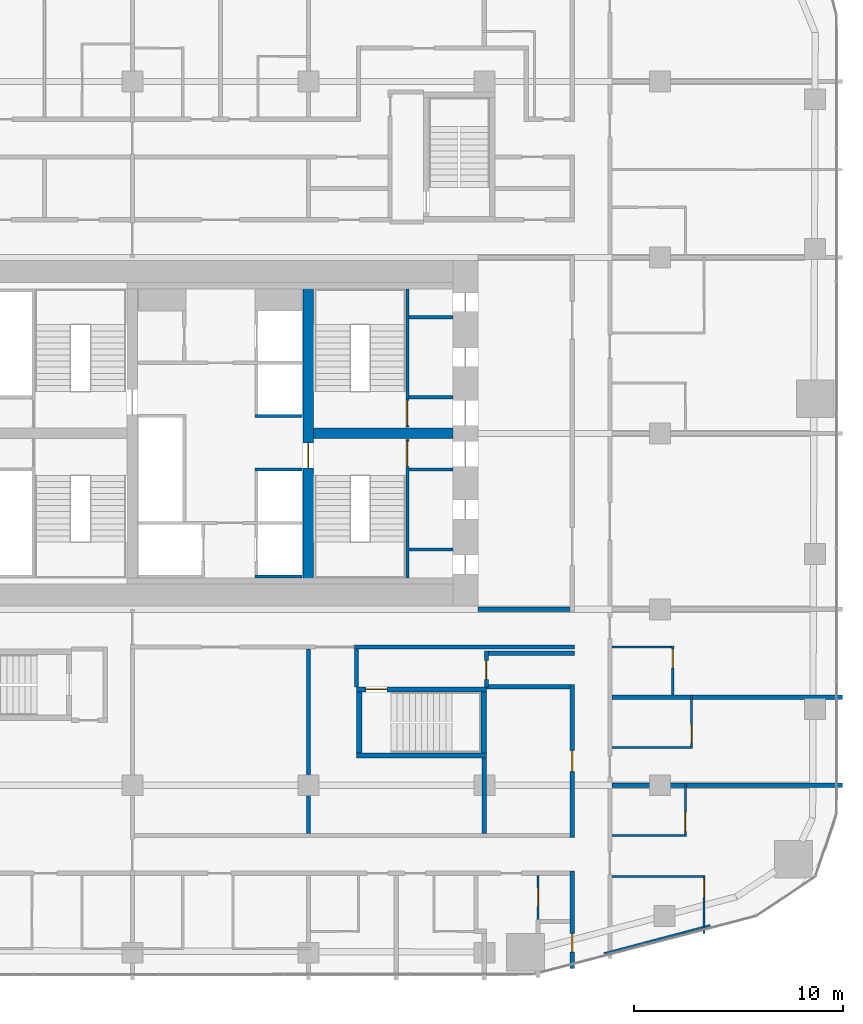
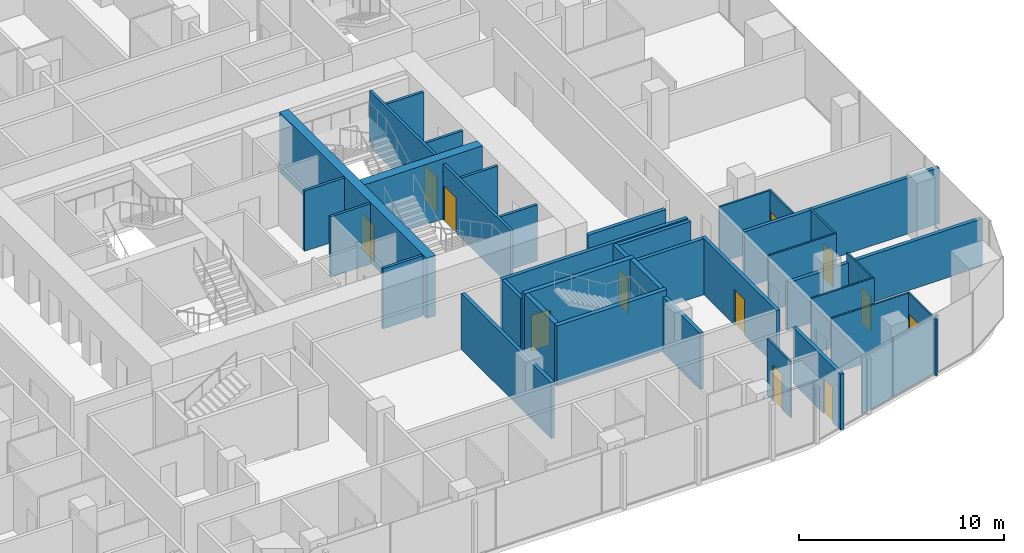
# One storey, part 19 of 26: 37 walls, 12 doors, 12 openings.
"""IFC4 building model written with IfcOpenShell, lengths in metres."""

from ifc_helpers import new_model, si_unit, direction, frame, frame_2d, origin, place, context, subcontext, project, spatial, rectangle, extrude, material, layer, layer_set, type_object, element, fill, save


model = new_model("IFC4")

# Units and contexts
model_context = context("Model", 3, precision=1e-05, world=origin(), true_north=direction((0.0, 1.0)))
body_context = subcontext(model_context, "Body", "Model", "MODEL_VIEW")
ifc_project = project(units=[si_unit("LENGTHUNIT", "METRE"), si_unit("AREAUNIT", "SQUARE_METRE"), si_unit("VOLUMEUNIT", "CUBIC_METRE"), si_unit("PLANEANGLEUNIT", "RADIAN"), si_unit("MASSUNIT", "GRAM", prefix="KILO")], contexts=[model_context])

# Site, building, storey
site_placement = place(None, origin())
site = spatial("IfcSite", under=ifc_project, at=site_placement, CompositionType="ELEMENT")
building_placement = place(site_placement, origin())
building = spatial("IfcBuilding", under=site, at=building_placement, Name="Marenta Gate Hotel Tower", CompositionType="ELEMENT")
storey_placement = place(building_placement, frame((0.0, 0.0, 72.5)))
storey = spatial("IfcBuildingStorey", under=building, at=storey_placement, Name="L16", CompositionType="ELEMENT", Elevation=72.5)

# Walls
ifc_material_1 = material(Name="Concrete blockwork", Category="masonry")
ifc_layer_1 = layer(ifc_material_1, 0.199951171875)
ifc_layer_set_1 = layer_set([ifc_layer_1], Name="Concrete blockwork")
wall_type_1 = type_object("IfcWallType", Name="Core boundary wall 200 REI 180", PredefinedType="PARTITIONING", material=ifc_layer_set_1)
wall_1_placement = place(storey_placement, frame((12.300048828125, 0.0, 0.0), z_axis=(0.0, 0.0, 1.0), x_axis=(1.0, 0.0, 0.0)))
element("IfcWall", 1, at=wall_1_placement, inside=storey, type_object=wall_type_1, Name="L16-CP-EW-ES", PredefinedType="PARTITIONING", context=body_context, shape_type="SweptSolid", body=[
    extrude(rectangle(XDim=4.39990234375, YDim=0.199951171875, at=frame_2d((2.199951171875, 0.0))), origin(), (0.0, 0.0, 1.0), 2.840087890625),
])
ifc_material_2 = material(Name="Concrete blockwork", Category="masonry")
ifc_layer_2 = layer(ifc_material_2, 0.14990234375)
ifc_layer_set_2 = layer_set([ifc_layer_2], Name="Concrete blockwork")
wall_type_2 = type_object("IfcWallType", Name="Core room partition 150 REI 180", PredefinedType="PARTITIONING", material=ifc_layer_set_2)
for number, where, z_axis, x_axis, name in (
    (2, (9.0, 6.675048828125, 0.0), (0.0, 0.0, 1.0), (1.0, 0.0, 0.0), "L16-CP-SW-ES-2"),
    (3, (9.0, 2.85009765625, 0.0), (0.0, 0.0, 1.0), (1.0, 0.0, 0.0), "L16-CP-RW-ES-1"),
    (4, (9.0, 10.125, 0.0), (0.0, 0.0, 1.0), (1.0, 0.0, 0.0), "L16-CP-SW-EN-2"),
    (5, (9.0, 13.949951171875, 0.0), (0.0, 0.0, 1.0), (1.0, 0.0, 0.0), "L16-CP-RW-EN-1"),
):
    element("IfcWall", number, at=place(storey_placement, frame(where, z_axis=z_axis, x_axis=x_axis)), inside=storey, type_object=wall_type_2, Name=name, PredefinedType="PARTITIONING", context=body_context, shape_type="SweptSolid", body=[
        extrude(rectangle(XDim=2.10009765625, YDim=0.14990234375, at=frame_2d((1.050048828125, 0.0))), origin(), (0.0, 0.0, 1.0), 3.340087890625),
    ])
ifc_material_3 = material(Name="Concrete C40", Category="concrete")
ifc_layer_3 = layer(ifc_material_3, 0.14990234375)
ifc_layer_set_3 = layer_set([ifc_layer_3], Name="Concrete C40")
wall_type_3 = type_object("IfcWallType", Name="Core shaft wall 150 REI 180", PredefinedType="SHEAR", material=ifc_layer_set_3)
for number, where, z_axis, x_axis, name in (
    (6, (1.64990234375, 1.574951171875, 0.0), (0.0, 0.0, 1.0), (1.0, 0.0, 0.0), "L16-SHF-CE-S-bot"),
    (7, (1.64990234375, 6.675048828125, 0.0), (0.0, 0.0, 1.0), (1.0, 0.0, 0.0), "L16-SHF-CE-sep1"),
    (8, (1.64990234375, 9.22509765625, 0.0), (0.0, 0.0, 1.0), (1.0, 0.0, 0.0), "L16-SHF-CE-sep2"),
):
    element("IfcWall", number, at=place(storey_placement, frame(where, z_axis=z_axis, x_axis=x_axis)), inside=storey, type_object=wall_type_3, Name=name, PredefinedType="SHEAR", context=body_context, shape_type="SweptSolid", body=[
        extrude(rectangle(XDim=2.25, YDim=0.14990234375, at=frame_2d((1.125, 0.0))), origin(), (0.0, 0.0, 1.0), 3.60009765625),
    ])

# Wall, opening, door
ifc_material_4 = material(Name="Concrete C40", Category="concrete")
ifc_layer_4 = layer(ifc_material_4, 0.14990234375)
ifc_layer_set_4 = layer_set([ifc_layer_4], Name="Concrete C40")
wall_type_4 = type_object("IfcWallType", Name="Core stair enclosure wall 150 REI 180", PredefinedType="SHEAR", material=ifc_layer_set_4)
wall_2_placement = place(storey_placement, frame((8.925048828125, 1.5, 0.0), z_axis=(0.0, 0.0, 1.0), x_axis=(0.0, 1.0, 0.0)))
wall_2 = element("IfcWall", 9, at=wall_2_placement, inside=storey, type_object=wall_type_4, Name="L16-SHF-SW-ES-3", PredefinedType="SHEAR", context=body_context, shape_type="SweptSolid", body=[
    extrude(rectangle(XDim=6.60009765625, YDim=0.14990234375, at=frame_2d((3.300048828125, 0.0))), origin(), (0.0, 0.0, 1.0), 3.340087890625),
])
opening_1_placement = place(wall_2_placement, frame((5.324951171875, 0.0, 0.0)))
opening_1 = element("IfcOpeningElement", 10, at=opening_1_placement, cuts=wall_2, Name="Opening SD-ES", PredefinedType="OPENING", context=body_context, shape_type="SweptSolid", body=[
    extrude(rectangle(XDim=1.199951171875, YDim=2.10009765625, at=frame_2d((0.60009765625, 1.050048828125))), frame((0.0, 0.074951171875, 0.0), z_axis=(0.0, -1.0, 0.0), x_axis=(1.0, 0.0, 0.0)), (0.0, 0.0, 1.0), 0.14990234375),
])
ifc_material_5 = material(Name="Steel", Category="steel")
door_type_1 = type_object("IfcDoorType", Name="Core stair door 1200x2100 FD60", OperationType="SINGLE_SWING_LEFT", PredefinedType="DOOR", material=ifc_material_5)
door_1_placement = place(opening_1_placement, origin())
door_1 = element("IfcDoor", 11, at=door_1_placement, inside=storey, type_object=door_type_1, Name="SD-ES", OperationType="SINGLE_SWING_LEFT", OverallHeight=2.10009765625, OverallWidth=1.199951171875, PredefinedType="DOOR", context=body_context, shape_type="SweptSolid", body=[
    extrude(rectangle(XDim=1.199951171875, YDim=2.10009765625, at=frame_2d((0.60009765625, 1.050048828125))), frame((0.0, 0.02490234375, 0.0), z_axis=(0.0, -1.0, 0.0), x_axis=(1.0, 0.0, 0.0)), (0.0, 0.0, 1.0), 0.050048828125),
])
fill(opening_1, door_1)

wall_3_placement = place(storey_placement, frame((8.925048828125, 8.699951171875, 0.0), z_axis=(0.0, 0.0, 1.0), x_axis=(0.0, 1.0, 0.0)))
wall_3 = element("IfcWall", 12, at=wall_3_placement, inside=storey, type_object=wall_type_4, Name="L16-SHF-SW-EN-3", PredefinedType="SHEAR", context=body_context, shape_type="SweptSolid", body=[
    extrude(rectangle(XDim=6.60009765625, YDim=0.14990234375, at=frame_2d((3.300048828125, 0.0))), origin(), (0.0, 0.0, 1.0), 3.340087890625),
])
opening_2_placement = place(wall_3_placement, frame((0.074951171875, 0.0, 0.0)))
opening_2 = element("IfcOpeningElement", 13, at=opening_2_placement, cuts=wall_3, Name="Opening SD-EN", PredefinedType="OPENING", context=body_context, shape_type="SweptSolid", body=[
    extrude(rectangle(XDim=1.199951171875, YDim=2.10009765625, at=frame_2d((0.60009765625, 1.050048828125))), frame((0.0, 0.074951171875, 0.0), z_axis=(0.0, -1.0, 0.0), x_axis=(1.0, 0.0, 0.0)), (0.0, 0.0, 1.0), 0.14990234375),
])
door_2_placement = place(opening_2_placement, origin())
door_2 = element("IfcDoor", 14, at=door_2_placement, inside=storey, type_object=door_type_1, Name="SD-EN", OperationType="SINGLE_SWING_LEFT", OverallHeight=2.10009765625, OverallWidth=1.199951171875, PredefinedType="DOOR", context=body_context, shape_type="SweptSolid", body=[
    extrude(rectangle(XDim=1.199951171875, YDim=2.10009765625, at=frame_2d((0.60009765625, 1.050048828125))), frame((0.0, 0.02490234375, 0.0), z_axis=(0.0, -1.0, 0.0), x_axis=(1.0, 0.0, 0.0)), (0.0, 0.0, 1.0), 0.050048828125),
])
fill(opening_2, door_2)

ifc_material_6 = material(Name="Concrete C80", Category="concrete")
ifc_layer_5 = layer(ifc_material_6, 0.5)
ifc_layer_set_5 = layer_set([ifc_layer_5], Name="Concrete C80")
wall_type_5 = type_object("IfcWallType", Name="Core web 500 C80", PredefinedType="SHEAR", material=ifc_layer_set_5)
wall_4_placement = place(storey_placement, frame((4.199951171875, 1.199951171875, 0.0), z_axis=(0.0, 0.0, 1.0), x_axis=(0.0, 1.0, 0.0)))
wall_4 = element("IfcWall", 15, at=wall_4_placement, inside=storey, type_object=wall_type_5, Name="L16-CORE-W2", PredefinedType="SHEAR", context=body_context, shape_type="SweptSolid", body=[
    extrude(rectangle(XDim=14.400146484375, YDim=0.5, at=frame_2d((7.2001953125, 0.0))), origin(), (0.0, 0.0, 1.0), 3.60009765625),
])
opening_3_placement = place(wall_4_placement, frame((5.550048828125, 0.0, 0.0)))
opening_3 = element("IfcOpeningElement", 16, at=opening_3_placement, cuts=wall_4, Name="Opening WD-E", PredefinedType="OPENING", context=body_context, shape_type="SweptSolid", body=[
    extrude(rectangle(XDim=1.199951171875, YDim=2.10009765625, at=frame_2d((0.60009765625, 1.050048828125))), frame((0.0, 0.25, 0.0), z_axis=(0.0, -1.0, 0.0), x_axis=(1.0, 0.0, 0.0)), (0.0, 0.0, 1.0), 0.5),
])
door_3_placement = place(opening_3_placement, origin())
door_3 = element("IfcDoor", 17, at=door_3_placement, inside=storey, type_object=door_type_1, Name="WD-E", OperationType="SINGLE_SWING_LEFT", OverallHeight=2.10009765625, OverallWidth=1.199951171875, PredefinedType="DOOR", context=body_context, shape_type="SweptSolid", body=[
    extrude(rectangle(XDim=1.199951171875, YDim=2.10009765625, at=frame_2d((0.60009765625, 1.050048828125))), frame((0.0, 0.02490234375, 0.0), z_axis=(0.0, -1.0, 0.0), x_axis=(1.0, 0.0, 0.0)), (0.0, 0.0, 1.0), 0.050048828125),
])
fill(opening_3, door_3)

# Walls
wall_5_placement = place(storey_placement, frame((4.449951171875, 8.39990234375, 0.0), z_axis=(0.0, 0.0, 1.0), x_axis=(1.0, 0.0, 0.0)))
element("IfcWall", 18, at=wall_5_placement, inside=storey, type_object=wall_type_5, Name="L16-CORE-W4", PredefinedType="SHEAR", context=body_context, shape_type="SweptSolid", body=[
    extrude(rectangle(XDim=6.650146484375, YDim=0.5, at=frame_2d((3.3251953125, 0.0))), origin(), (0.0, 0.0, 1.0), 3.60009765625),
])
ifc_material_7 = material(Name="Concrete C40", Category="concrete")
ifc_layer_6 = layer(ifc_material_7, 0.25)
ifc_layer_set_6 = layer_set([ifc_layer_6], Name="Concrete C40")
wall_type_6 = type_object("IfcWallType", Name="Remote stair enclosure wall 250 REI 180", PredefinedType="SHEAR", material=ifc_layer_set_6)
wall_6_placement = place(storey_placement, frame((6.5, -6.97509765625, 0.10009765625), z_axis=(0.0, 0.0, 1.0), x_axis=(1.0, 0.0, 0.0)))
element("IfcWall", 19, at=wall_6_placement, inside=storey, type_object=wall_type_6, Name="L16-RS-Z1-1-W1", PredefinedType="SHEAR", context=body_context, shape_type="SweptSolid", body=[
    extrude(rectangle(XDim=6.199951171875, YDim=0.25, at=frame_2d((3.10009765625, 0.0))), origin(), (0.0, 0.0, 1.0), 3.599853515625),
])

# Wall, opening, door
wall_7_placement = place(storey_placement, frame((6.5, -3.824951171875, 0.10009765625), z_axis=(0.0, 0.0, 1.0), x_axis=(1.0, 0.0, 0.0)))
wall_7 = element("IfcWall", 20, at=wall_7_placement, inside=storey, type_object=wall_type_6, Name="L16-RS-Z1-1-W2", PredefinedType="SHEAR", context=body_context, shape_type="SweptSolid", body=[
    extrude(rectangle(XDim=6.199951171875, YDim=0.25, at=frame_2d((3.10009765625, 0.0))), origin(), (0.0, 0.0, 1.0), 3.599853515625),
])
opening_4_placement = place(wall_7_placement, frame((0.449951171875, 0.0, 0.0)))
opening_4 = element("IfcOpeningElement", 21, at=opening_4_placement, cuts=wall_7, Name="Opening VD", PredefinedType="OPENING", context=body_context, shape_type="SweptSolid", body=[
    extrude(rectangle(XDim=1.0, YDim=2.10009765625, at=frame_2d((0.5, 1.050048828125))), frame((0.0, 0.125, 0.0), z_axis=(0.0, -1.0, 0.0), x_axis=(1.0, 0.0, 0.0)), (0.0, 0.0, 1.0), 0.25),
])
ifc_material_8 = material(Name="Steel", Category="steel")
door_type_2 = type_object("IfcDoorType", Name="Stair vestibule door 1000x2100 FD60", OperationType="SINGLE_SWING_LEFT", PredefinedType="DOOR", material=ifc_material_8)
door_4_placement = place(opening_4_placement, origin())
door_4 = element("IfcDoor", 22, at=door_4_placement, inside=storey, type_object=door_type_2, Name="VD", OperationType="SINGLE_SWING_LEFT", OverallHeight=2.10009765625, OverallWidth=1.0, PredefinedType="DOOR", context=body_context, shape_type="SweptSolid", body=[
    extrude(rectangle(XDim=1.0, YDim=2.10009765625, at=frame_2d((0.5, 1.050048828125))), frame((0.0, 0.02490234375, 0.0), z_axis=(0.0, -1.0, 0.0), x_axis=(1.0, 0.0, 0.0)), (0.0, 0.0, 1.0), 0.050048828125),
])
fill(opening_4, door_4)

# Walls
for number, where, z_axis, x_axis, name in (
    (23, (6.625, -6.85009765625, 0.10009765625), (0.0, 0.0, 1.0), (0.0, 1.0, 0.0), "L16-RS-Z1-1-W3"),
    (24, (12.574951171875, -6.85009765625, 0.10009765625), (0.0, 0.0, 1.0), (0.0, 1.0, 0.0), "L16-RS-Z1-1-W4"),
):
    element("IfcWall", number, at=place(storey_placement, frame(where, z_axis=z_axis, x_axis=x_axis)), inside=storey, type_object=wall_type_6, Name=name, PredefinedType="SHEAR", context=body_context, shape_type="SweptSolid", body=[
        extrude(rectangle(XDim=2.900146484375, YDim=0.25, at=frame_2d((1.4501953125, 0.0))), origin(), (0.0, 0.0, 1.0), 3.599853515625),
    ])

# Wall, opening, door
ifc_material_9 = material(Name="Concrete blockwork", Category="masonry")
ifc_layer_7 = layer(ifc_material_9, 0.199951171875)
ifc_layer_set_7 = layer_set([ifc_layer_7], Name="Concrete blockwork")
wall_type_7 = type_object("IfcWallType", Name="Room corridor wall 200 EI 120", PredefinedType="PARTITIONING", material=ifc_layer_set_7)
wall_8_placement = place(storey_placement, frame((16.800048828125, -17.14306640625, 0.0), z_axis=(0.0, 0.0, 1.0), x_axis=(0.0, 1.0, 0.0)))
wall_8 = element("IfcWall", 25, at=wall_8_placement, inside=storey, type_object=wall_type_7, Name="L16-PTN-W010", PredefinedType="PARTITIONING", context=body_context, shape_type="SweptSolid", body=[
    extrude(rectangle(XDim=4.64306640625, YDim=0.199951171875, at=frame_2d((2.321533203125, 0.0))), origin(), (0.0, 0.0, 1.0), 3.340087890625),
])
opening_5_placement = place(wall_8_placement, frame((0.77197265625, 0.0, 0.0)))
opening_5 = element("IfcOpeningElement", 26, at=opening_5_placement, cuts=wall_8, Name="Opening G06-81", PredefinedType="OPENING", context=body_context, shape_type="SweptSolid", body=[
    extrude(rectangle(XDim=0.89990234375, YDim=2.10009765625, at=frame_2d((0.449951171875, 1.050048828125))), frame((0.0, 0.10009765625, 0.0), z_axis=(0.0, -1.0, 0.0), x_axis=(1.0, 0.0, 0.0)), (0.0, 0.0, 1.0), 0.199951171875),
])
ifc_material_10 = material(Name="Hollow steel door set", Category="steel")
door_type_3 = type_object("IfcDoorType", Name="Room service door 900x2100 EI 60", OperationType="NOTDEFINED", PredefinedType="DOOR", material=ifc_material_10)
door_5_placement = place(opening_5_placement, origin())
door_5 = element("IfcDoor", 27, at=door_5_placement, inside=storey, type_object=door_type_3, Name="L16-PD-D081", OperationType="SINGLE_SWING_RIGHT", OverallHeight=2.10009765625, OverallWidth=0.89990234375, PredefinedType="DOOR", context=body_context, shape_type="SweptSolid", body=[
    extrude(rectangle(XDim=0.89990234375, YDim=2.10009765625, at=frame_2d((0.449951171875, 1.050048828125))), frame((0.0, 0.02490234375, 0.0), z_axis=(0.0, -1.0, 0.0), x_axis=(1.0, 0.0, 0.0)), (0.0, 0.0, 1.0), 0.050048828125),
])
fill(opening_5, door_5)

ifc_material_11 = material(Name="Gypsum board on steel stud", Category="steel")
ifc_layer_8 = layer(ifc_material_11, 0.199951171875)
ifc_layer_set_8 = layer_set([ifc_layer_8], Name="Gypsum board on steel stud")
wall_type_8 = type_object("IfcWallType", Name="Room corridor wall 200 EI 60", PredefinedType="PARTITIONING", material=ifc_layer_set_8)
wall_9_placement = place(storey_placement, frame((16.800048828125, -10.89990234375, 0.0), z_axis=(0.0, 0.0, 1.0), x_axis=(0.0, 1.0, 0.0)))
wall_9 = element("IfcWall", 28, at=wall_9_placement, inside=storey, type_object=wall_type_8, Name="L16-PTN-W011", PredefinedType="PARTITIONING", context=body_context, shape_type="SweptSolid", body=[
    extrude(rectangle(XDim=7.2998046875, YDim=0.199951171875, at=frame_2d((3.64990234375, 0.0))), origin(), (0.0, 0.0, 1.0), 3.340087890625),
])
opening_6_placement = place(wall_9_placement, frame((3.14990234375, 0.0, 0.0)))
opening_6 = element("IfcOpeningElement", 29, at=opening_6_placement, cuts=wall_9, Name="Opening G06-67", PredefinedType="OPENING", context=body_context, shape_type="SweptSolid", body=[
    extrude(rectangle(XDim=1.0, YDim=2.10009765625, at=frame_2d((0.5, 1.050048828125))), frame((0.0, 0.10009765625, 0.0), z_axis=(0.0, -1.0, 0.0), x_axis=(1.0, 0.0, 0.0)), (0.0, 0.0, 1.0), 0.199951171875),
])
ifc_material_12 = material(Name="Timber door leaf", Category="wood")
door_type_4 = type_object("IfcDoorType", Name="Room amenity door 1000x2100 EI 30", OperationType="NOTDEFINED", PredefinedType="DOOR", material=ifc_material_12)
door_6_placement = place(opening_6_placement, origin())
door_6 = element("IfcDoor", 30, at=door_6_placement, inside=storey, type_object=door_type_4, Name="L16-PD-D067", OperationType="SINGLE_SWING_LEFT", OverallHeight=2.10009765625, OverallWidth=1.0, PredefinedType="DOOR", context=body_context, shape_type="SweptSolid", body=[
    extrude(rectangle(XDim=1.0, YDim=2.10009765625, at=frame_2d((0.5, 1.050048828125))), frame((0.0, 0.02490234375, 0.0), z_axis=(0.0, -1.0, 0.0), x_axis=(1.0, 0.0, 0.0)), (0.0, 0.0, 1.0), 0.050048828125),
])
fill(opening_6, door_6)

# Wall
wall_10_placement = place(storey_placement, frame((12.699951171875, -3.699951171875, 0.0), z_axis=(0.0, 0.0, 1.0), x_axis=(1.0, 0.0, 0.0)))
element("IfcWall", 31, at=wall_10_placement, inside=storey, type_object=wall_type_8, Name="L16-PTN-W059", PredefinedType="PARTITIONING", context=body_context, shape_type="SweptSolid", body=[
    extrude(rectangle(XDim=4.0, YDim=0.199951171875, at=frame_2d((2.0, 0.0))), origin(), (0.0, 0.0, 1.0), 3.340087890625),
])

# Wall, opening, door
ifc_material_13 = material(Name="Concrete blockwork", Category="masonry")
ifc_layer_9 = layer(ifc_material_13, 0.199951171875)
ifc_layer_set_9 = layer_set([ifc_layer_9], Name="Concrete blockwork")
wall_type_9 = type_object("IfcWallType", Name="Room corridor wall 200 REI 180", PredefinedType="PARTITIONING", material=ifc_layer_set_9)
wall_11_placement = place(storey_placement, frame((12.699951171875, -3.699951171875, 0.0), z_axis=(0.0, 0.0, 1.0), x_axis=(0.0, 1.0, 0.0)))
wall_11 = element("IfcWall", 32, at=wall_11_placement, inside=storey, type_object=wall_type_9, Name="L16-PTN-W029", PredefinedType="PARTITIONING", context=body_context, shape_type="SweptSolid", body=[
    extrude(rectangle(XDim=1.699951171875, YDim=0.199951171875, at=frame_2d((0.85009765625, 0.0))), origin(), (0.0, 0.0, 1.0), 3.340087890625),
])
opening_7_placement = place(wall_11_placement, frame((0.35009765625, 0.0, 0.0)))
opening_7 = element("IfcOpeningElement", 33, at=opening_7_placement, cuts=wall_11, Name="Opening G06-61", PredefinedType="OPENING", context=body_context, shape_type="SweptSolid", body=[
    extrude(rectangle(XDim=0.89990234375, YDim=2.10009765625, at=frame_2d((0.449951171875, 1.050048828125))), frame((0.0, 0.10009765625, 0.0), z_axis=(0.0, -1.0, 0.0), x_axis=(1.0, 0.0, 0.0)), (0.0, 0.0, 1.0), 0.199951171875),
])
ifc_material_14 = material(Name="Hollow steel door set", Category="steel")
door_type_5 = type_object("IfcDoorType", Name="Stair vestibule door 900x2100 EI 60", OperationType="NOTDEFINED", PredefinedType="DOOR", material=ifc_material_14)
door_7_placement = place(opening_7_placement, origin())
door_7 = element("IfcDoor", 34, at=door_7_placement, inside=storey, type_object=door_type_5, Name="L16-PD-D061", OperationType="SINGLE_SWING_RIGHT", OverallHeight=2.10009765625, OverallWidth=0.89990234375, PredefinedType="DOOR", context=body_context, shape_type="SweptSolid", body=[
    extrude(rectangle(XDim=0.89990234375, YDim=2.10009765625, at=frame_2d((0.449951171875, 1.050048828125))), frame((0.0, 0.02490234375, 0.0), z_axis=(0.0, -1.0, 0.0), x_axis=(1.0, 0.0, 0.0)), (0.0, 0.0, 1.0), 0.050048828125),
])
fill(opening_7, door_7)

# Walls
wall_12_placement = place(storey_placement, frame((12.800048828125, -2.10009765625, 0.0), z_axis=(0.0, 0.0, 1.0), x_axis=(1.0, 0.0, 0.0)))
element("IfcWall", 35, at=wall_12_placement, inside=storey, type_object=wall_type_9, Name="L16-PTN-W060", PredefinedType="PARTITIONING", context=body_context, shape_type="SweptSolid", body=[
    extrude(rectangle(XDim=4.099853515625, YDim=0.199951171875, at=frame_2d((2.0498046875, 0.0))), origin(), (0.0, 0.0, 1.0), 3.340087890625),
])
wall_13_placement = place(storey_placement, frame((6.39990234375, -1.800048828125, 0.0), z_axis=(0.0, 0.0, 1.0), x_axis=(1.0, 0.0, 0.0)))
element("IfcWall", 36, at=wall_13_placement, inside=storey, type_object=wall_type_9, Name="L16-PTN-W067", PredefinedType="PARTITIONING", context=body_context, shape_type="SweptSolid", body=[
    extrude(rectangle(XDim=10.5, YDim=0.199951171875, at=frame_2d((5.25, 0.0))), origin(), (0.0, 0.0, 1.0), 3.340087890625),
])

# Wall, opening, door
ifc_material_15 = material(Name="Gypsum board on steel stud", Category="steel")
ifc_layer_10 = layer(ifc_material_15, 0.10009765625)
ifc_layer_set_10 = layer_set([ifc_layer_10], Name="Gypsum board on steel stud")
wall_type_10 = type_object("IfcWallType", Name="Room partition 100", PredefinedType="PARTITIONING", material=ifc_layer_set_10)
wall_14_placement = place(storey_placement, frame((23.10009765625, -15.470947265625, 0.0), z_axis=(0.0, 0.0, 1.0), x_axis=(0.0, 1.0, 0.0)))
wall_14 = element("IfcWall", 37, at=wall_14_placement, inside=storey, type_object=wall_type_10, Name="L16-PTN-W001", PredefinedType="PARTITIONING", context=body_context, shape_type="SweptSolid", body=[
    extrude(rectangle(XDim=2.755859375, YDim=0.10009765625, at=frame_2d((1.3779296875, 0.0))), origin(), (0.0, 0.0, 1.0), 3.340087890625),
])
opening_8_placement = place(wall_14_placement, frame((1.7060546875, 0.0, 0.0)))
opening_8 = element("IfcOpeningElement", 38, at=opening_8_placement, cuts=wall_14, Name="Opening G06-07", PredefinedType="OPENING", context=body_context, shape_type="SweptSolid", body=[
    extrude(rectangle(XDim=0.89990234375, YDim=2.10009765625, at=frame_2d((0.449951171875, 1.050048828125))), frame((0.0, 0.050048828125, 0.0), z_axis=(0.0, -1.0, 0.0), x_axis=(1.0, 0.0, 0.0)), (0.0, 0.0, 1.0), 0.10009765625),
])
ifc_material_16 = material(Name="Timber door leaf", Category="wood")
door_type_6 = type_object("IfcDoorType", Name="Guest bathroom door 900x2100", OperationType="NOTDEFINED", PredefinedType="DOOR", material=ifc_material_16)
door_8_placement = place(opening_8_placement, origin())
door_8 = element("IfcDoor", 39, at=door_8_placement, inside=storey, type_object=door_type_6, Name="L16-PD-D007", OperationType="SINGLE_SWING_RIGHT", OverallHeight=2.10009765625, OverallWidth=0.89990234375, PredefinedType="DOOR", context=body_context, shape_type="SweptSolid", body=[
    extrude(rectangle(XDim=0.89990234375, YDim=2.10009765625, at=frame_2d((0.449951171875, 1.050048828125))), frame((0.0, 0.02490234375, 0.0), z_axis=(0.0, -1.0, 0.0), x_axis=(1.0, 0.0, 0.0)), (0.0, 0.0, 1.0), 0.050048828125),
])
fill(opening_8, door_8)

wall_15_placement = place(storey_placement, frame((22.5, -6.550048828125, 0.0), z_axis=(0.0, 0.0, 1.0), x_axis=(0.0, 1.0, 0.0)))
wall_15 = element("IfcWall", 40, at=wall_15_placement, inside=storey, type_object=wall_type_10, Name="L16-PTN-W003", PredefinedType="PARTITIONING", context=body_context, shape_type="SweptSolid", body=[
    extrude(rectangle(XDim=2.449951171875, YDim=0.10009765625, at=frame_2d((1.22509765625, 0.0))), origin(), (0.0, 0.0, 1.0), 3.340087890625),
])
opening_9_placement = place(wall_15_placement, frame((0.14990234375, 0.0, 0.0)))
opening_9 = element("IfcOpeningElement", 41, at=opening_9_placement, cuts=wall_15, Name="Opening G06-10", PredefinedType="OPENING", context=body_context, shape_type="SweptSolid", body=[
    extrude(rectangle(XDim=0.89990234375, YDim=2.10009765625, at=frame_2d((0.449951171875, 1.050048828125))), frame((0.0, 0.050048828125, 0.0), z_axis=(0.0, -1.0, 0.0), x_axis=(1.0, 0.0, 0.0)), (0.0, 0.0, 1.0), 0.10009765625),
])
door_9_placement = place(opening_9_placement, origin())
door_9 = element("IfcDoor", 42, at=door_9_placement, inside=storey, type_object=door_type_6, Name="L16-PD-D010", OperationType="SINGLE_SWING_LEFT", OverallHeight=2.10009765625, OverallWidth=0.89990234375, PredefinedType="DOOR", context=body_context, shape_type="SweptSolid", body=[
    extrude(rectangle(XDim=0.89990234375, YDim=2.10009765625, at=frame_2d((0.449951171875, 1.050048828125))), frame((0.0, 0.02490234375, 0.0), z_axis=(0.0, -1.0, 0.0), x_axis=(1.0, 0.0, 0.0)), (0.0, 0.0, 1.0), 0.050048828125),
])
fill(opening_9, door_9)

wall_16_placement = place(storey_placement, frame((22.199951171875, -10.75, 0.0), z_axis=(0.0, 0.0, 1.0), x_axis=(0.0, 1.0, 0.0)))
wall_16 = element("IfcWall", 43, at=wall_16_placement, inside=storey, type_object=wall_type_10, Name="L16-PTN-W004", PredefinedType="PARTITIONING", context=body_context, shape_type="SweptSolid", body=[
    extrude(rectangle(XDim=2.449951171875, YDim=0.10009765625, at=frame_2d((1.22509765625, 0.0))), origin(), (0.0, 0.0, 1.0), 3.340087890625),
])
opening_10_placement = place(wall_16_placement, frame((0.14990234375, 0.0, 0.0)))
opening_10 = element("IfcOpeningElement", 44, at=opening_10_placement, cuts=wall_16, Name="Opening G06-08", PredefinedType="OPENING", context=body_context, shape_type="SweptSolid", body=[
    extrude(rectangle(XDim=0.89990234375, YDim=2.10009765625, at=frame_2d((0.449951171875, 1.050048828125))), frame((0.0, 0.050048828125, 0.0), z_axis=(0.0, -1.0, 0.0), x_axis=(1.0, 0.0, 0.0)), (0.0, 0.0, 1.0), 0.10009765625),
])
ifc_material_17 = material(Name="Timber door leaf", Category="wood")
door_type_7 = type_object("IfcDoorType", Name="Room inner door 900x2100", OperationType="NOTDEFINED", PredefinedType="DOOR", material=ifc_material_17)
door_10_placement = place(opening_10_placement, origin())
door_10 = element("IfcDoor", 45, at=door_10_placement, inside=storey, type_object=door_type_7, Name="L16-PD-D008", OperationType="SINGLE_SWING_LEFT", OverallHeight=2.10009765625, OverallWidth=0.89990234375, PredefinedType="DOOR", context=body_context, shape_type="SweptSolid", body=[
    extrude(rectangle(XDim=0.89990234375, YDim=2.10009765625, at=frame_2d((0.449951171875, 1.050048828125))), frame((0.0, 0.02490234375, 0.0), z_axis=(0.0, -1.0, 0.0), x_axis=(1.0, 0.0, 0.0)), (0.0, 0.0, 1.0), 0.050048828125),
])
fill(opening_10, door_10)

wall_17_placement = place(storey_placement, frame((21.60009765625, -4.10009765625, 0.0), z_axis=(0.0, 0.0, 1.0), x_axis=(0.0, 1.0, 0.0)))
wall_17 = element("IfcWall", 46, at=wall_17_placement, inside=storey, type_object=wall_type_10, Name="L16-PTN-W007", PredefinedType="PARTITIONING", context=body_context, shape_type="SweptSolid", body=[
    extrude(rectangle(XDim=2.35009765625, YDim=0.10009765625, at=frame_2d((1.175048828125, 0.0))), origin(), (0.0, 0.0, 1.0), 3.340087890625),
])
opening_11_placement = place(wall_17_placement, frame((1.300048828125, 0.0, 0.0)))
opening_11 = element("IfcOpeningElement", 47, at=opening_11_placement, cuts=wall_17, Name="Opening G06-12", PredefinedType="OPENING", context=body_context, shape_type="SweptSolid", body=[
    extrude(rectangle(XDim=0.89990234375, YDim=2.10009765625, at=frame_2d((0.449951171875, 1.050048828125))), frame((0.0, 0.050048828125, 0.0), z_axis=(0.0, -1.0, 0.0), x_axis=(1.0, 0.0, 0.0)), (0.0, 0.0, 1.0), 0.10009765625),
])
door_11_placement = place(opening_11_placement, origin())
door_11 = element("IfcDoor", 48, at=door_11_placement, inside=storey, type_object=door_type_6, Name="L16-PD-D012", OperationType="SINGLE_SWING_RIGHT", OverallHeight=2.10009765625, OverallWidth=0.89990234375, PredefinedType="DOOR", context=body_context, shape_type="SweptSolid", body=[
    extrude(rectangle(XDim=0.89990234375, YDim=2.10009765625, at=frame_2d((0.449951171875, 1.050048828125))), frame((0.0, 0.02490234375, 0.0), z_axis=(0.0, -1.0, 0.0), x_axis=(1.0, 0.0, 0.0)), (0.0, 0.0, 1.0), 0.050048828125),
])
fill(opening_11, door_11)

# Wall
wall_18_placement = place(storey_placement, frame((18.31005859375, -16.44189453125, 0.0), z_axis=(0.0, 0.0, 1.0), x_axis=(0.966552628131, 0.256468354876, 0.0)))
element("IfcWall", 49, at=wall_18_placement, inside=storey, type_object=wall_type_10, Name="L16-PTN-W008", PredefinedType="PARTITIONING", context=body_context, shape_type="SweptSolid", body=[
    extrude(rectangle(XDim=5.255615234375, YDim=0.10009765625, at=frame_2d((2.6279296875, 0.0))), origin(), (0.0, 0.0, 1.0), 3.340087890625),
])

# Wall, opening, door
wall_19_placement = place(storey_placement, frame((15.166015625, -15.0, 0.0), z_axis=(0.0, 0.0, 1.0), x_axis=(0.0, 1.0, 0.0)))
wall_19 = element("IfcWall", 50, at=wall_19_placement, inside=storey, type_object=wall_type_10, Name="L16-PTN-W022", PredefinedType="PARTITIONING", context=body_context, shape_type="SweptSolid", body=[
    extrude(rectangle(XDim=2.300048828125, YDim=0.10009765625, at=frame_2d((1.14990234375, 0.0))), origin(), (0.0, 0.0, 1.0), 3.340087890625),
])
opening_12_placement = place(wall_19_placement, frame((0.800048828125, 0.0, 0.0)))
opening_12 = element("IfcOpeningElement", 51, at=opening_12_placement, cuts=wall_19, Name="Opening G06-80", PredefinedType="OPENING", context=body_context, shape_type="SweptSolid", body=[
    extrude(rectangle(XDim=0.89990234375, YDim=2.10009765625, at=frame_2d((0.449951171875, 1.050048828125))), frame((0.0, 0.050048828125, 0.0), z_axis=(0.0, -1.0, 0.0), x_axis=(1.0, 0.0, 0.0)), (0.0, 0.0, 1.0), 0.10009765625),
])
door_12_placement = place(opening_12_placement, origin())
door_12 = element("IfcDoor", 52, at=door_12_placement, inside=storey, type_object=door_type_6, Name="L16-PD-D080", OperationType="SINGLE_SWING_RIGHT", OverallHeight=2.10009765625, OverallWidth=0.89990234375, PredefinedType="DOOR", context=body_context, shape_type="SweptSolid", body=[
    extrude(rectangle(XDim=0.89990234375, YDim=2.10009765625, at=frame_2d((0.449951171875, 1.050048828125))), frame((0.0, 0.02490234375, 0.0), z_axis=(0.0, -1.0, 0.0), x_axis=(1.0, 0.0, 0.0)), (0.0, 0.0, 1.0), 0.050048828125),
])
fill(opening_12, door_12)

# Walls
wall_20_placement = place(storey_placement, frame((18.699951171875, -12.764892578125, 0.0), z_axis=(0.0, 0.0, 1.0), x_axis=(1.0, 0.0, 0.0)))
element("IfcWall", 53, at=wall_20_placement, inside=storey, type_object=wall_type_10, Name="L16-PTN-W028", PredefinedType="PARTITIONING", context=body_context, shape_type="SweptSolid", body=[
    extrude(rectangle(XDim=4.35009765625, YDim=0.10009765625, at=frame_2d((2.175048828125, 0.0))), origin(), (0.0, 0.0, 1.0), 3.340087890625),
])
wall_21_placement = place(storey_placement, frame((18.699951171875, -10.800048828125, 0.0), z_axis=(0.0, 0.0, 1.0), x_axis=(1.0, 0.0, 0.0)))
element("IfcWall", 54, at=wall_21_placement, inside=storey, type_object=wall_type_10, Name="L16-PTN-W037", PredefinedType="PARTITIONING", context=body_context, shape_type="SweptSolid", body=[
    extrude(rectangle(XDim=3.550048828125, YDim=0.10009765625, at=frame_2d((1.77490234375, 0.0))), origin(), (0.0, 0.0, 1.0), 3.340087890625),
])
wall_22_placement = place(storey_placement, frame((18.699951171875, -6.60009765625, 0.0), z_axis=(0.0, 0.0, 1.0), x_axis=(1.0, 0.0, 0.0)))
element("IfcWall", 55, at=wall_22_placement, inside=storey, type_object=wall_type_10, Name="L16-PTN-W049", PredefinedType="PARTITIONING", context=body_context, shape_type="SweptSolid", body=[
    extrude(rectangle(XDim=3.85009765625, YDim=0.10009765625, at=frame_2d((1.925048828125, 0.0))), origin(), (0.0, 0.0, 1.0), 3.340087890625),
])
wall_23_placement = place(storey_placement, frame((18.699951171875, -1.800048828125, 0.0), z_axis=(0.0, 0.0, 1.0), x_axis=(1.0, 0.0, 0.0)))
element("IfcWall", 56, at=wall_23_placement, inside=storey, type_object=wall_type_10, Name="L16-PTN-W064", PredefinedType="PARTITIONING", context=body_context, shape_type="SweptSolid", body=[
    extrude(rectangle(XDim=2.85009765625, YDim=0.10009765625, at=frame_2d((1.425048828125, 0.0))), origin(), (0.0, 0.0, 1.0), 3.340087890625),
])
ifc_material_18 = material(Name="Gypsum board on steel stud", Category="steel")
ifc_layer_11 = layer(ifc_material_18, 0.199951171875)
ifc_layer_set_11 = layer_set([ifc_layer_11], Name="Gypsum board on steel stud")
wall_type_11 = type_object("IfcWallType", Name="Room party wall 200 EI 60", PredefinedType="PARTITIONING", material=ifc_layer_set_11)
wall_24_placement = place(storey_placement, frame((12.60009765625, -10.699951171875, 0.0), z_axis=(0.0, 0.0, 1.0), x_axis=(0.0, 1.0, 0.0)))
element("IfcWall", 57, at=wall_24_placement, inside=storey, type_object=wall_type_11, Name="L16-PTN-W031", PredefinedType="PARTITIONING", context=body_context, shape_type="SweptSolid", body=[
    extrude(rectangle(XDim=3.599853515625, YDim=0.199951171875, at=frame_2d((1.7998046875, 0.0))), origin(), (0.0, 0.0, 1.0), 3.340087890625),
])
wall_25_placement = place(storey_placement, frame((18.699951171875, -8.39990234375, 0.0), z_axis=(0.0, 0.0, 1.0), x_axis=(1.0, 0.0, 0.0)))
element("IfcWall", 58, at=wall_25_placement, inside=storey, type_object=wall_type_11, Name="L16-PTN-W043", PredefinedType="PARTITIONING", context=body_context, shape_type="SweptSolid", body=[
    extrude(rectangle(XDim=11.0, YDim=0.199951171875, at=frame_2d((5.5, 0.0))), origin(), (0.0, 0.0, 1.0), 2.840087890625),
])
wall_26_placement = place(storey_placement, frame((4.199951171875, -10.699951171875, 0.0), z_axis=(0.0, 0.0, 1.0), x_axis=(0.0, 1.0, 0.0)))
element("IfcWall", 59, at=wall_26_placement, inside=storey, type_object=wall_type_11, Name="L16-PTN-W054", PredefinedType="PARTITIONING", context=body_context, shape_type="SweptSolid", body=[
    extrude(rectangle(XDim=8.800048828125, YDim=0.199951171875, at=frame_2d((4.39990234375, 0.0))), origin(), (0.0, 0.0, 1.0), 3.340087890625),
])
wall_27_placement = place(storey_placement, frame((18.699951171875, -4.199951171875, 0.0), z_axis=(0.0, 0.0, 1.0), x_axis=(1.0, 0.0, 0.0)))
element("IfcWall", 60, at=wall_27_placement, inside=storey, type_object=wall_type_11, Name="L16-PTN-W058", PredefinedType="PARTITIONING", context=body_context, shape_type="SweptSolid", body=[
    extrude(rectangle(XDim=11.0, YDim=0.199951171875, at=frame_2d((5.5, 0.0))), origin(), (0.0, 0.0, 1.0), 3.340087890625),
])
ifc_material_19 = material(Name="Concrete blockwork", Category="masonry")
ifc_layer_12 = layer(ifc_material_19, 0.199951171875)
ifc_layer_set_12 = layer_set([ifc_layer_12], Name="Concrete blockwork")
wall_type_12 = type_object("IfcWallType", Name="Room party wall 200 REI 180", PredefinedType="PARTITIONING", material=ifc_layer_set_12)
wall_28_placement = place(storey_placement, frame((6.5, -3.699951171875, 0.0), z_axis=(0.0, 0.0, 1.0), x_axis=(0.0, 1.0, 0.0)))
element("IfcWall", 61, at=wall_28_placement, inside=storey, type_object=wall_type_12, Name="L16-PTN-W050", PredefinedType="PARTITIONING", context=body_context, shape_type="SweptSolid", body=[
    extrude(rectangle(XDim=1.800048828125, YDim=0.199951171875, at=frame_2d((0.89990234375, 0.0))), origin(), (0.0, 0.0, 1.0), 3.340087890625),
])

save(model, "model.ifc")
